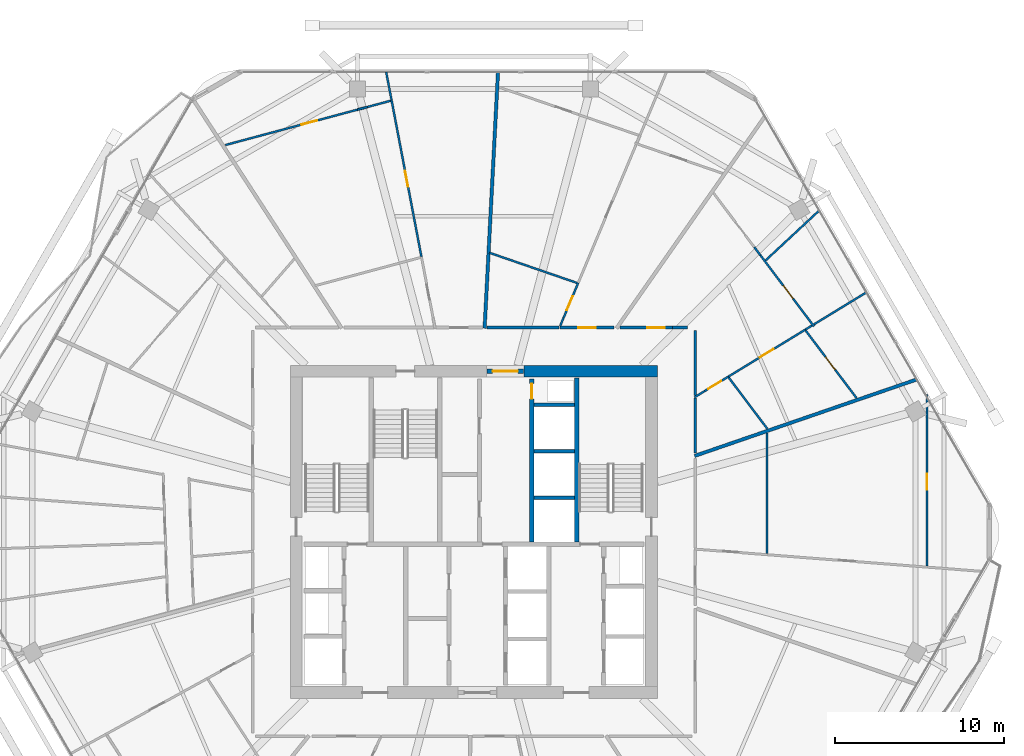
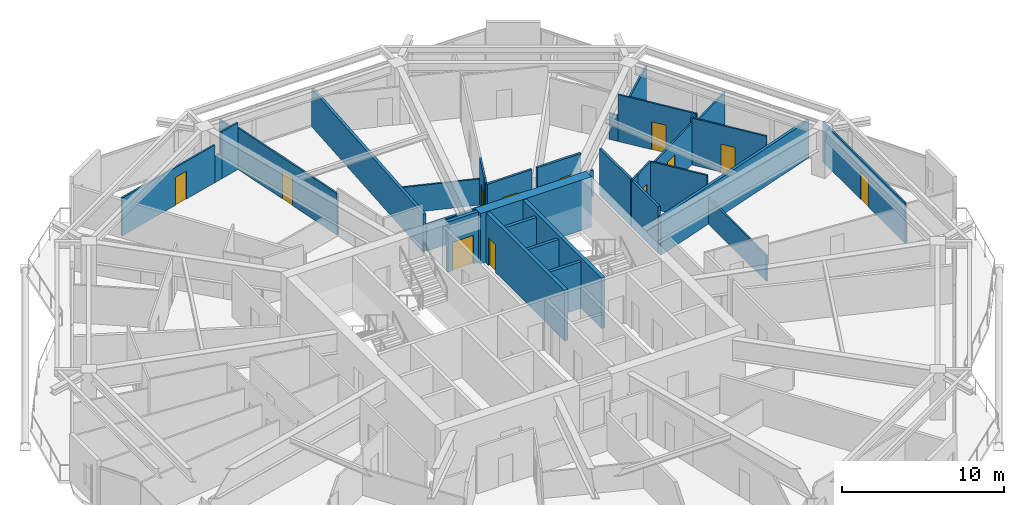
# One storey, part 24 of 28: 35 walls, 12 doors, 12 openings.
"""IFC4 building model written with IfcOpenShell, lengths in metres."""

from ifc_helpers import new_model, si_unit, direction, frame, frame_2d, origin, place, context, subcontext, project, spatial, rectangle, extrude, material, layer, layer_set, type_object, element, fill, save


model = new_model("IFC4")

# Units and contexts
model_context = context("Model", 3, precision=1e-05, world=origin(), true_north=direction((0.0, 1.0)))
body_context = subcontext(model_context, "Body", "Model", "MODEL_VIEW")
ifc_project = project(units=[si_unit("LENGTHUNIT", "METRE"), si_unit("AREAUNIT", "SQUARE_METRE"), si_unit("VOLUMEUNIT", "CUBIC_METRE"), si_unit("PLANEANGLEUNIT", "RADIAN"), si_unit("MASSUNIT", "GRAM", prefix="KILO")], contexts=[model_context])

# Site, building, storey
site_placement = place(None, origin())
site = spatial("IfcSite", under=ifc_project, at=site_placement, CompositionType="ELEMENT")
building_placement = place(site_placement, origin())
building = spatial("IfcBuilding", under=site, at=building_placement, Name="Zuhravey Tower", CompositionType="ELEMENT")
storey_placement = place(building_placement, frame((0.0, 0.0, 222.60009765625)))
storey = spatial("IfcBuildingStorey", under=building, at=storey_placement, Name="L56", CompositionType="ELEMENT", Elevation=222.60009765625)

# Wall
ifc_material_1 = material(Name="Concrete C60/75", Category="concrete")
ifc_layer_1 = layer(ifc_material_1, 0.699951171875)
ifc_layer_set_1 = layer_set([ifc_layer_1], Name="Concrete C60/75")
wall_type_1 = type_object("IfcWallType", Name="Core Shear Wall 700", PredefinedType="SHEAR", material=ifc_layer_set_1)
wall_1_placement = place(storey_placement, frame((46.85009765625, 41.5, 0.0), z_axis=(0.0, 0.0, 1.0), x_axis=(-1.0, 0.0, 0.0)))
element("IfcWall", 1, at=wall_1_placement, inside=storey, type_object=wall_type_1, Name="L56 North-East Core Shear Wall CW70", PredefinedType="SHEAR", context=body_context, shape_type="SweptSolid", body=[
    extrude(rectangle(XDim=7.900146484375, YDim=0.699951171875, at=frame_2d((3.9501953125, 0.0))), origin(), (0.0, 0.0, 1.0), 3.7998046875),
])

# Wall, opening, door
ifc_material_2 = material(Name="Gypsum fire-rated stud partition")
ifc_layer_2 = layer(ifc_material_2, 0.159912109375)
ifc_layer_set_2 = layer_set([ifc_layer_2], Name="Gypsum fire-rated stud partition")
wall_type_2 = type_object("IfcWallType", Name="Corridor Fire Partition 160", PredefinedType="PARTITIONING", material=ifc_layer_set_2)
wall_2_placement = place(storey_placement, frame((47.751708984375, 44.080078125, 0.0), z_axis=(0.0, 0.0, 1.0), x_axis=(-1.0, 0.0, 0.0)))
wall_2 = element("IfcWall", 2, at=wall_2_placement, inside=storey, type_object=wall_type_2, Name="L56 IW16 Partition 025", PredefinedType="PARTITIONING", context=body_context, shape_type="SweptSolid", body=[
    extrude(rectangle(XDim=3.110595703125, YDim=0.159912109375, at=frame_2d((1.55517578125, 0.0))), origin(), (0.0, 0.0, 1.0), 3.52001953125),
])
opening_1_placement = place(wall_2_placement, frame((0.4560546875, 0.0, 0.0)))
opening_1 = element("IfcOpeningElement", 3, at=opening_1_placement, cuts=wall_2, Name="Opening APD1", PredefinedType="OPENING", context=body_context, shape_type="SweptSolid", body=[
    extrude(rectangle(XDim=1.050048828125, YDim=2.14990234375, at=frame_2d((0.52490234375, 1.074951171875))), frame((0.0, 0.092041015625, 0.0), z_axis=(0.0, -1.0, 0.0), x_axis=(1.0, 0.0, 0.0)), (0.0, 0.0, 1.0), 0.183837890625),
])
ifc_material_3 = material(Name="Solid-core oak fire-rated leaf")
door_type_1 = type_object("IfcDoorType", Name="Apartment Entrance Fire Door 1050x2150", OperationType="NOTDEFINED", PredefinedType="DOOR", material=ifc_material_3)
door_1_placement = place(opening_1_placement, frame((1.050048828125, 0.0, 0.0), z_axis=(0.0, 0.0, 1.0), x_axis=(-1.0, 0.0, 0.0)))
door_1 = element("IfcDoor", 4, at=door_1_placement, inside=storey, type_object=door_type_1, Name="L56 Door 025.1", OperationType="SINGLE_SWING_RIGHT", OverallHeight=2.14990234375, OverallWidth=1.050048828125, PredefinedType="DOOR", context=body_context, shape_type="SweptSolid", body=[
    extrude(rectangle(XDim=1.050048828125, YDim=2.14990234375, at=frame_2d((0.52490234375, 1.074951171875))), frame((0.0, 0.02490234375, 0.0), z_axis=(0.0, -1.0, 0.0), x_axis=(1.0, 0.0, 0.0)), (0.0, 0.0, 1.0), 0.050048828125),
])
fill(opening_1, door_1)

wall_3_placement = place(storey_placement, frame((44.278076171875, 44.080078125, 0.0), z_axis=(0.0, 0.0, 1.0), x_axis=(-1.0, 0.0, 0.0)))
wall_3 = element("IfcWall", 5, at=wall_3_placement, inside=storey, type_object=wall_type_2, Name="L56 IW16 Partition 031", PredefinedType="PARTITIONING", context=body_context, shape_type="SweptSolid", body=[
    extrude(rectangle(XDim=3.1982421875, YDim=0.159912109375, at=frame_2d((1.59912109375, 0.0))), origin(), (0.0, 0.0, 1.0), 3.52001953125),
])
opening_2_placement = place(wall_3_placement, frame((1.07421875, 0.0, 0.0)))
opening_2 = element("IfcOpeningElement", 6, at=opening_2_placement, cuts=wall_3, Name="Opening APD1", PredefinedType="OPENING", context=body_context, shape_type="SweptSolid", body=[
    extrude(rectangle(XDim=1.050048828125, YDim=2.14990234375, at=frame_2d((0.52490234375, 1.074951171875))), frame((0.0, 0.092041015625, 0.0), z_axis=(0.0, -1.0, 0.0), x_axis=(1.0, 0.0, 0.0)), (0.0, 0.0, 1.0), 0.183837890625),
])
door_2_placement = place(opening_2_placement, frame((1.050048828125, 0.0, 0.0), z_axis=(0.0, 0.0, 1.0), x_axis=(-1.0, 0.0, 0.0)))
door_2 = element("IfcDoor", 7, at=door_2_placement, inside=storey, type_object=door_type_1, Name="L56 Door 031.1", OperationType="SINGLE_SWING_LEFT", OverallHeight=2.14990234375, OverallWidth=1.050048828125, PredefinedType="DOOR", context=body_context, shape_type="SweptSolid", body=[
    extrude(rectangle(XDim=1.050048828125, YDim=2.14990234375, at=frame_2d((0.52490234375, 1.074951171875))), frame((0.0, 0.02490234375, 0.0), z_axis=(0.0, -1.0, 0.0), x_axis=(1.0, 0.0, 0.0)), (0.0, 0.0, 1.0), 0.050048828125),
])
fill(opening_2, door_2)

# Walls
wall_4_placement = place(storey_placement, frame((48.635498046875, 44.080078125, 0.0), z_axis=(0.0, 0.0, 1.0), x_axis=(-1.0, 0.0, 0.0)))
element("IfcWall", 8, at=wall_4_placement, inside=storey, type_object=wall_type_2, Name="L56 IW16 Partition 076", PredefinedType="PARTITIONING", context=body_context, shape_type="SweptSolid", body=[
    extrude(rectangle(XDim=0.8837890625, YDim=0.159912109375, at=frame_2d((0.44189453125, 0.0))), origin(), (0.0, 0.0, 1.0), 1.969970703125),
])
wall_5_placement = place(storey_placement, frame((49.080078125, 40.063720703125, 0.0), z_axis=(0.0, 0.0, 1.0), x_axis=(0.0, 1.0, 0.0)))
element("IfcWall", 9, at=wall_5_placement, inside=storey, type_object=wall_type_2, Name="L56 IW16 Partition 133", PredefinedType="PARTITIONING", context=body_context, shape_type="SweptSolid", body=[
    extrude(rectangle(XDim=3.836181640625, YDim=0.159912109375, at=frame_2d((1.91796875, 0.0))), origin(), (0.0, 0.0, 1.0), 3.52001953125),
])
wall_6_placement = place(storey_placement, frame((49.080078125, 36.653076171875, 0.0), z_axis=(0.0, 0.0, 1.0), x_axis=(0.0, 1.0, 0.0)))
element("IfcWall", 10, at=wall_6_placement, inside=storey, type_object=wall_type_2, Name="L56 IW16 Partition 134", PredefinedType="PARTITIONING", context=body_context, shape_type="SweptSolid", body=[
    extrude(rectangle(XDim=3.251220703125, YDim=0.159912109375, at=frame_2d((1.62548828125, 0.0))), origin(), (0.0, 0.0, 1.0), 3.52001953125),
])
wall_7_placement = place(storey_placement, frame((41.036376953125, 44.080078125, 0.0), z_axis=(0.0, 0.0, 1.0), x_axis=(-1.0, 0.0, 0.0)))
element("IfcWall", 11, at=wall_7_placement, inside=storey, type_object=wall_type_2, Name="L56 IW16 Partition 135", PredefinedType="PARTITIONING", context=body_context, shape_type="SweptSolid", body=[
    extrude(rectangle(XDim=4.277587890625, YDim=0.159912109375, at=frame_2d((2.138671875, 0.0))), origin(), (0.0, 0.0, 1.0), 1.969970703125),
])

# Wall, opening, door
ifc_material_4 = material(Name="Concrete C50/60", Category="concrete")
ifc_layer_3 = layer(ifc_material_4, 0.25)
ifc_layer_set_3 = layer_set([ifc_layer_3], Name="Concrete C50/60")
wall_type_3 = type_object("IfcWallType", Name="Firefighting Shaft & Stair Wall 250", PredefinedType="SOLIDWALL", material=ifc_layer_set_3)
wall_8_placement = place(storey_placement, frame((36.760009765625, 41.5, 0.0), z_axis=(0.0, 0.0, 1.0), x_axis=(1.0, 0.0, 0.0)))
wall_8 = element("IfcWall", 12, at=wall_8_placement, inside=storey, type_object=wall_type_3, Name="L56 FW25 Shaft Wall 002", PredefinedType="SOLIDWALL", context=body_context, shape_type="SweptSolid", body=[
    extrude(rectangle(XDim=2.179931640625, YDim=0.25, at=frame_2d((1.08984375, 0.0))), origin(), (0.0, 0.0, 1.0), 3.7998046875),
])
opening_3_placement = place(wall_8_placement, frame((0.340087890625, 0.0, 0.0)))
opening_3 = element("IfcOpeningElement", 13, at=opening_3_placement, cuts=wall_8, Name="Opening FFD1", PredefinedType="OPENING", context=body_context, shape_type="SweptSolid", body=[
    extrude(rectangle(XDim=1.5, YDim=2.14990234375, at=frame_2d((0.75, 1.074951171875))), frame((0.0, 0.136962890625, 0.0), z_axis=(0.0, -1.0, 0.0), x_axis=(1.0, 0.0, 0.0)), (0.0, 0.0, 1.0), 0.27392578125),
])
ifc_material_5 = material(Name="Galvanised fire-rated steel leaf", Category="steel")
door_type_2 = type_object("IfcDoorType", Name="Firefighting Lobby Double Door 1500x2150", OperationType="DOUBLE_DOOR_SINGLE_SWING", PredefinedType="DOOR", material=ifc_material_5)
door_3_placement = place(opening_3_placement, origin())
door_3 = element("IfcDoor", 14, at=door_3_placement, inside=storey, type_object=door_type_2, Name="L56 North Lift Lobby Exit Door", OperationType="DOUBLE_DOOR_SINGLE_SWING", OverallHeight=2.14990234375, OverallWidth=1.5, PredefinedType="DOOR", context=body_context, shape_type="SweptSolid", body=[
    extrude(rectangle(XDim=1.5, YDim=2.14990234375, at=frame_2d((0.75, 1.074951171875))), frame((0.0, 0.02490234375, 0.0), z_axis=(0.0, -1.0, 0.0), x_axis=(1.0, 0.0, 0.0)), (0.0, 0.0, 1.0), 0.050048828125),
])
fill(opening_3, door_3)

# Wall
wall_9_placement = place(storey_placement, frame((42.074951171875, 31.39990234375, 0.0), z_axis=(0.0, 0.0, 1.0), x_axis=(0.0, 1.0, 0.0)))
element("IfcWall", 15, at=wall_9_placement, inside=storey, type_object=wall_type_3, Name="L56 FW25 Shaft Wall 006", PredefinedType="SOLIDWALL", context=body_context, shape_type="SweptSolid", body=[
    extrude(rectangle(XDim=9.7001953125, YDim=0.25, at=frame_2d((4.85009765625, 0.0))), origin(), (0.0, 0.0, 1.0), 3.7998046875),
])

# Wall, opening, door
wall_10_placement = place(storey_placement, frame((39.425048828125, 31.39990234375, 0.0), z_axis=(0.0, 0.0, 1.0), x_axis=(0.0, 1.0, 0.0)))
wall_10 = element("IfcWall", 16, at=wall_10_placement, inside=storey, type_object=wall_type_3, Name="L56 FW25 Shaft Wall 008", PredefinedType="SOLIDWALL", context=body_context, shape_type="SweptSolid", body=[
    extrude(rectangle(XDim=9.650146484375, YDim=0.25, at=frame_2d((4.8251953125, 0.0))), origin(), (0.0, 0.0, 1.0), 3.7998046875),
])
opening_4_placement = place(wall_10_placement, frame((8.469970703125, 0.0, 0.0)))
opening_4 = element("IfcOpeningElement", 17, at=opening_4_placement, cuts=wall_10, Name="Opening RSD1", PredefinedType="OPENING", context=body_context, shape_type="SweptSolid", body=[
    extrude(rectangle(XDim=0.89990234375, YDim=2.10009765625, at=frame_2d((0.449951171875, 1.050048828125))), frame((0.0, 0.136962890625, 0.0), z_axis=(0.0, -1.0, 0.0), x_axis=(1.0, 0.0, 0.0)), (0.0, 0.0, 1.0), 0.27392578125),
])
ifc_material_6 = material(Name="Galvanised fire-rated steel access leaf", Category="steel")
door_type_3 = type_object("IfcDoorType", Name="Riser & Shaft Access Fire Door 900x2100", OperationType="NOTDEFINED", PredefinedType="DOOR", material=ifc_material_6)
door_4_placement = place(opening_4_placement, origin())
door_4 = element("IfcDoor", 18, at=door_4_placement, inside=storey, type_object=door_type_3, Name="L56 North Riser Door", OperationType="SINGLE_SWING_LEFT", OverallHeight=2.10009765625, OverallWidth=0.89990234375, PredefinedType="DOOR", context=body_context, shape_type="SweptSolid", body=[
    extrude(rectangle(XDim=0.89990234375, YDim=2.10009765625, at=frame_2d((0.449951171875, 1.050048828125))), frame((0.0, 0.02490234375, 0.0), z_axis=(0.0, -1.0, 0.0), x_axis=(1.0, 0.0, 0.0)), (0.0, 0.0, 1.0), 0.050048828125),
])
fill(opening_4, door_4)

# Walls
ifc_material_7 = material(Name="Gypsum double-stud party assembly")
ifc_layer_4 = layer(ifc_material_7, 0.199951171875)
ifc_layer_set_4 = layer_set([ifc_layer_4], Name="Gypsum double-stud party assembly")
wall_type_4 = type_object("IfcWallType", Name="Inter-Tenancy Party Wall 200", PredefinedType="PARTITIONING", material=ifc_layer_set_4)
wall_11_placement = place(storey_placement, frame((49.0400390625, 36.489990234375, 0.0), z_axis=(0.0, 0.0, 1.0), x_axis=(0.94551604925, 0.325575491417, 0.0)))
element("IfcWall", 19, at=wall_11_placement, inside=storey, type_object=wall_type_4, Name="L56 IW20 Partition 069", PredefinedType="PARTITIONING", context=body_context, shape_type="SweptSolid", body=[
    extrude(rectangle(XDim=13.900390625, YDim=0.199951171875, at=frame_2d((6.9501953125, 0.0))), origin(), (0.0, 0.0, 1.0), 2.83984375),
])
wall_12_placement = place(storey_placement, frame((36.631103515625, 44.0400390625, 0.0), z_axis=(0.0, 0.0, 1.0), x_axis=(0.052325601384, 0.998630077376, 0.0)))
element("IfcWall", 20, at=wall_12_placement, inside=storey, type_object=wall_type_4, Name="L56 IW20 Partition 083", PredefinedType="PARTITIONING", context=body_context, shape_type="SweptSolid", body=[
    extrude(rectangle(XDim=15.163818359375, YDim=0.199951171875, at=frame_2d((7.58203125, 0.0))), origin(), (0.0, 0.0, 1.0), 2.83984375),
])
ifc_material_8 = material(Name="Gypsum acoustic stud assembly")
ifc_layer_5 = layer(ifc_material_8, 0.219970703125)
ifc_layer_set_5 = layer_set([ifc_layer_5], Name="Gypsum acoustic stud assembly")
wall_type_5 = type_object("IfcWallType", Name="School Acoustic Compartment Wall 220", PredefinedType="PARTITIONING", material=ifc_layer_set_5)
for number, where, z_axis, x_axis, name in (
    (21, (39.55810546875, 34.02490234375, 0.0), (0.0, 0.0, 1.0), (1.0, 0.0, 0.0), "L56 IW22 Partition 064"),
    (22, (39.55810546875, 36.77490234375, 0.0), (0.0, 0.0, 1.0), (1.0, 0.0, 0.0), "L56 IW22 Partition 065"),
    (23, (39.55810546875, 39.52490234375, 0.0), (0.0, 0.0, 1.0), (1.0, 0.0, 0.0), "L56 IW22 Partition 066"),
):
    element("IfcWall", number, at=place(storey_placement, frame(where, z_axis=z_axis, x_axis=x_axis)), inside=storey, type_object=wall_type_5, Name=name, PredefinedType="PARTITIONING", context=body_context, shape_type="SweptSolid", body=[
        extrude(rectangle(XDim=2.3837890625, YDim=0.219970703125, at=frame_2d((1.19189453125, 0.0))), origin(), (0.0, 0.0, 1.0), 3.52001953125),
    ])

# Wall, opening, door
ifc_material_9 = material(Name="Gypsum metal-stud partition")
ifc_layer_6 = layer(ifc_material_9, 0.1201171875)
ifc_layer_set_6 = layer_set([ifc_layer_6], Name="Gypsum metal-stud partition")
wall_type_6 = type_object("IfcWallType", Name="Unit Internal Partition 120", PredefinedType="PARTITIONING", material=ifc_layer_set_6)
wall_13_placement = place(storey_placement, frame((56.10205078125, 44.1533203125, 0.0), z_axis=(0.0, 0.0, 1.0), x_axis=(-0.601823664103, 0.79862899855, 0.0)))
wall_13 = element("IfcWall", 24, at=wall_13_placement, inside=storey, type_object=wall_type_6, Name="L56 IW12 Partition 020", PredefinedType="PARTITIONING", context=body_context, shape_type="SweptSolid", body=[
    extrude(rectangle(XDim=5.2646484375, YDim=0.1201171875, at=frame_2d((2.63232421875, 0.0))), origin(), (0.0, 0.0, 1.0), 3.52001953125),
])
opening_5_placement = place(wall_13_placement, frame((2.059326171875, 0.0, 0.0)))
opening_5 = element("IfcOpeningElement", 25, at=opening_5_placement, cuts=wall_13, Name="Opening IND1", PredefinedType="OPENING", context=body_context, shape_type="SweptSolid", body=[
    extrude(rectangle(XDim=0.949951171875, YDim=2.10009765625, at=frame_2d((0.47509765625, 1.050048828125))), frame((0.0, 0.072021484375, 0.0), z_axis=(0.0, -1.0, 0.0), x_axis=(1.0, 0.0, 0.0)), (0.0, 0.0, 1.0), 0.14404296875),
])
ifc_material_10 = material(Name="Painted engineered timber leaf", Category="wood")
door_type_4 = type_object("IfcDoorType", Name="Internal Room & Bedroom Door 950x2100", OperationType="NOTDEFINED", PredefinedType="DOOR", material=ifc_material_10)
door_5_placement = place(opening_5_placement, frame((0.949951171875, 0.0, 0.0), z_axis=(0.0, 0.0, 1.0), x_axis=(-1.0, 0.0, 0.0)))
door_5 = element("IfcDoor", 26, at=door_5_placement, inside=storey, type_object=door_type_4, Name="Apartment L56-01 Family Study Door", OperationType="SINGLE_SWING_LEFT", OverallHeight=2.10009765625, OverallWidth=0.949951171875, PredefinedType="DOOR", context=body_context, shape_type="SweptSolid", body=[
    extrude(rectangle(XDim=0.949951171875, YDim=2.10009765625, at=frame_2d((0.47509765625, 1.050048828125))), frame((0.0, 0.02490234375, 0.0), z_axis=(0.0, -1.0, 0.0), x_axis=(1.0, 0.0, 0.0)), (0.0, 0.0, 1.0), 0.050048828125),
])
fill(opening_5, door_5)

wall_14_placement = place(storey_placement, frame((49.64990234375, 40.33203125, 0.0), z_axis=(0.0, 0.0, 1.0), x_axis=(0.853576385117, 0.520967709911, 0.0)))
wall_14 = element("IfcWall", 27, at=wall_14_placement, inside=storey, type_object=wall_type_6, Name="L56 IW12 Partition 022", PredefinedType="PARTITIONING", context=body_context, shape_type="SweptSolid", body=[
    extrude(rectangle(XDim=1.638427734375, YDim=0.1201171875, at=frame_2d((0.8193359375, 0.0))), origin(), (0.0, 0.0, 1.0), 3.52001953125),
])
opening_6_placement = place(wall_14_placement, frame((0.238037109375, 0.0, 0.0)))
opening_6 = element("IfcOpeningElement", 28, at=opening_6_placement, cuts=wall_14, Name="Opening WCD1", PredefinedType="OPENING", context=body_context, shape_type="SweptSolid", body=[
    extrude(rectangle(XDim=0.89990234375, YDim=2.10009765625, at=frame_2d((0.449951171875, 1.050048828125))), frame((0.0, 0.072021484375, 0.0), z_axis=(0.0, -1.0, 0.0), x_axis=(1.0, 0.0, 0.0)), (0.0, 0.0, 1.0), 0.14404296875),
])
ifc_material_11 = material(Name="Moisture-resistant timber leaf", Category="wood")
door_type_5 = type_object("IfcDoorType", Name="Bathroom & WC Internal Door 900x2100", OperationType="NOTDEFINED", PredefinedType="DOOR", material=ifc_material_11)
door_6_placement = place(opening_6_placement, frame((0.89990234375, 0.0, 0.0), z_axis=(0.0, 0.0, 1.0), x_axis=(-1.0, 0.0, 0.0)))
door_6 = element("IfcDoor", 29, at=door_6_placement, inside=storey, type_object=door_type_5, Name="Apartment L56-01 Bathroom Door", OperationType="SINGLE_SWING_LEFT", OverallHeight=2.10009765625, OverallWidth=0.89990234375, PredefinedType="DOOR", context=body_context, shape_type="SweptSolid", body=[
    extrude(rectangle(XDim=0.89990234375, YDim=2.10009765625, at=frame_2d((0.449951171875, 1.050048828125))), frame((0.0, 0.02490234375, 0.0), z_axis=(0.0, -1.0, 0.0), x_axis=(1.0, 0.0, 0.0)), (0.0, 0.0, 1.0), 0.050048828125),
])
fill(opening_6, door_6)

wall_15_placement = place(storey_placement, frame((51.04833984375, 41.185546875, 0.0), z_axis=(0.0, 0.0, 1.0), x_axis=(0.853552291935, 0.521007183187, 0.0)))
wall_15 = element("IfcWall", 30, at=wall_15_placement, inside=storey, type_object=wall_type_6, Name="L56 IW12 Partition 023", PredefinedType="PARTITIONING", context=body_context, shape_type="SweptSolid", body=[
    extrude(rectangle(XDim=5.330810546875, YDim=0.1201171875, at=frame_2d((2.66552734375, 0.0))), origin(), (0.0, 0.0, 1.0), 3.119873046875),
])
opening_7_placement = place(wall_15_placement, frame((2.165283203125, 0.0, 0.0)))
opening_7 = element("IfcOpeningElement", 31, at=opening_7_placement, cuts=wall_15, Name="Opening IND1", PredefinedType="OPENING", context=body_context, shape_type="SweptSolid", body=[
    extrude(rectangle(XDim=0.949951171875, YDim=2.10009765625, at=frame_2d((0.47509765625, 1.050048828125))), frame((0.0, 0.072021484375, 0.0), z_axis=(0.0, -1.0, 0.0), x_axis=(1.0, 0.0, 0.0)), (0.0, 0.0, 1.0), 0.14404296875),
])
door_7_placement = place(opening_7_placement, frame((0.949951171875, 0.0, 0.0), z_axis=(0.0, 0.0, 1.0), x_axis=(-1.0, 0.0, 0.0)))
door_7 = element("IfcDoor", 32, at=door_7_placement, inside=storey, type_object=door_type_4, Name="Apartment L56-01 Home Office Door", OperationType="SINGLE_SWING_RIGHT", OverallHeight=2.10009765625, OverallWidth=0.949951171875, PredefinedType="DOOR", context=body_context, shape_type="SweptSolid", body=[
    extrude(rectangle(XDim=0.949951171875, YDim=2.10009765625, at=frame_2d((0.47509765625, 1.050048828125))), frame((0.0, 0.02490234375, 0.0), z_axis=(0.0, -1.0, 0.0), x_axis=(1.0, 0.0, 0.0)), (0.0, 0.0, 1.0), 0.050048828125),
])
fill(opening_7, door_7)

wall_16_placement = place(storey_placement, frame((58.62451171875, 39.90576171875, 0.0), z_axis=(0.0, 0.0, 1.0), x_axis=(-0.60182042423, 0.798631440015, 0.0)))
wall_16 = element("IfcWall", 33, at=wall_16_placement, inside=storey, type_object=wall_type_6, Name="L56 IW12 Partition 024", PredefinedType="PARTITIONING", context=body_context, shape_type="SweptSolid", body=[
    extrude(rectangle(XDim=4.995361328125, YDim=0.1201171875, at=frame_2d((2.49755859375, 0.0))), origin(), (0.0, 0.0, 1.0), 3.52001953125),
])
opening_8_placement = place(wall_16_placement, frame((2.107177734375, 0.0, 0.0)))
opening_8 = element("IfcOpeningElement", 34, at=opening_8_placement, cuts=wall_16, Name="Opening IND1", PredefinedType="OPENING", context=body_context, shape_type="SweptSolid", body=[
    extrude(rectangle(XDim=0.949951171875, YDim=2.10009765625, at=frame_2d((0.47509765625, 1.050048828125))), frame((0.0, 0.072021484375, 0.0), z_axis=(0.0, -1.0, 0.0), x_axis=(1.0, 0.0, 0.0)), (0.0, 0.0, 1.0), 0.14404296875),
])
door_8_placement = place(opening_8_placement, frame((0.949951171875, 0.0, 0.0), z_axis=(0.0, 0.0, 1.0), x_axis=(-1.0, 0.0, 0.0)))
door_8 = element("IfcDoor", 35, at=door_8_placement, inside=storey, type_object=door_type_4, Name="Apartment L56-01 Bedroom 1 Door", OperationType="SINGLE_SWING_LEFT", OverallHeight=2.10009765625, OverallWidth=0.949951171875, PredefinedType="DOOR", context=body_context, shape_type="SweptSolid", body=[
    extrude(rectangle(XDim=0.949951171875, YDim=2.10009765625, at=frame_2d((0.47509765625, 1.050048828125))), frame((0.0, 0.02490234375, 0.0), z_axis=(0.0, -1.0, 0.0), x_axis=(1.0, 0.0, 0.0)), (0.0, 0.0, 1.0), 0.050048828125),
])
fill(opening_8, door_8)

wall_17_placement = place(storey_placement, frame((41.296875, 44.64990234375, 0.0), z_axis=(0.0, 0.0, 1.0), x_axis=(0.386243492927, 0.922396858284, 0.0)))
wall_17 = element("IfcWall", 36, at=wall_17_placement, inside=storey, type_object=wall_type_6, Name="L56 IW12 Partition 027", PredefinedType="PARTITIONING", context=body_context, shape_type="SweptSolid", body=[
    extrude(rectangle(XDim=2.245849609375, YDim=0.1201171875, at=frame_2d((1.123046875, 0.0))), origin(), (0.0, 0.0, 1.0), 3.52001953125),
])
opening_9_placement = place(wall_17_placement, frame((0.4931640625, 0.0, 0.0)))
opening_9 = element("IfcOpeningElement", 37, at=opening_9_placement, cuts=wall_17, Name="Opening WCD1", PredefinedType="OPENING", context=body_context, shape_type="SweptSolid", body=[
    extrude(rectangle(XDim=0.89990234375, YDim=2.10009765625, at=frame_2d((0.449951171875, 1.050048828125))), frame((0.0, 0.072021484375, 0.0), z_axis=(0.0, -1.0, 0.0), x_axis=(1.0, 0.0, 0.0)), (0.0, 0.0, 1.0), 0.14404296875),
])
door_9_placement = place(opening_9_placement, origin())
door_9 = element("IfcDoor", 38, at=door_9_placement, inside=storey, type_object=door_type_5, Name="Apartment L56-02 Bathroom Door", OperationType="SINGLE_SWING_RIGHT", OverallHeight=2.10009765625, OverallWidth=0.89990234375, PredefinedType="DOOR", context=body_context, shape_type="SweptSolid", body=[
    extrude(rectangle(XDim=0.89990234375, YDim=2.10009765625, at=frame_2d((0.449951171875, 1.050048828125))), frame((0.0, 0.02490234375, 0.0), z_axis=(0.0, -1.0, 0.0), x_axis=(1.0, 0.0, 0.0)), (0.0, 0.0, 1.0), 0.050048828125),
])
fill(opening_9, door_9)

wall_18_placement = place(storey_placement, frame((32.8974609375, 48.26416015625, 0.0), z_axis=(0.0, 0.0, 1.0), x_axis=(-0.187382109983, 0.982287098998, 0.0)))
wall_18 = element("IfcWall", 39, at=wall_18_placement, inside=storey, type_object=wall_type_6, Name="L56 IW12 Partition 033", PredefinedType="PARTITIONING", context=body_context, shape_type="SweptSolid", body=[
    extrude(rectangle(XDim=9.431640625, YDim=0.1201171875, at=frame_2d((4.7158203125, 0.0))), origin(), (0.0, 0.0, 1.0), 3.119873046875),
])
opening_10_placement = place(wall_18_placement, frame((4.2158203125, 0.0, 0.0)))
opening_10 = element("IfcOpeningElement", 40, at=opening_10_placement, cuts=wall_18, Name="Opening IND1", PredefinedType="OPENING", context=body_context, shape_type="SweptSolid", body=[
    extrude(rectangle(XDim=0.949951171875, YDim=2.10009765625, at=frame_2d((0.47509765625, 1.050048828125))), frame((0.0, 0.072021484375, 0.0), z_axis=(0.0, -1.0, 0.0), x_axis=(1.0, 0.0, 0.0)), (0.0, 0.0, 1.0), 0.14404296875),
])
door_10_placement = place(opening_10_placement, origin())
door_10 = element("IfcDoor", 41, at=door_10_placement, inside=storey, type_object=door_type_4, Name="Apartment L56-03 Home Office Door", OperationType="SINGLE_SWING_LEFT", OverallHeight=2.10009765625, OverallWidth=0.949951171875, PredefinedType="DOOR", context=body_context, shape_type="SweptSolid", body=[
    extrude(rectangle(XDim=0.949951171875, YDim=2.10009765625, at=frame_2d((0.47509765625, 1.050048828125))), frame((0.0, 0.02490234375, 0.0), z_axis=(0.0, -1.0, 0.0), x_axis=(1.0, 0.0, 0.0)), (0.0, 0.0, 1.0), 0.050048828125),
])
fill(opening_10, door_10)

wall_19_placement = place(storey_placement, frame((29.128173828125, 56.966796875, 0.0), z_axis=(0.0, 0.0, 1.0), x_axis=(-0.965920313851, -0.258839616925, 0.0)))
wall_19 = element("IfcWall", 42, at=wall_19_placement, inside=storey, type_object=wall_type_6, Name="L56 IW12 Partition 034", PredefinedType="PARTITIONING", context=body_context, shape_type="SweptSolid", body=[
    extrude(rectangle(XDim=8.09375, YDim=0.1201171875, at=frame_2d((4.046875, 0.0))), origin(), (0.0, 0.0, 1.0), 2.83984375),
])
opening_11_placement = place(wall_19_placement, frame((2.48291015625, 0.0, 0.0)))
opening_11 = element("IfcOpeningElement", 43, at=opening_11_placement, cuts=wall_19, Name="Opening IND1", PredefinedType="OPENING", context=body_context, shape_type="SweptSolid", body=[
    extrude(rectangle(XDim=0.949951171875, YDim=2.10009765625, at=frame_2d((0.47509765625, 1.050048828125))), frame((0.0, 0.072021484375, 0.0), z_axis=(0.0, -1.0, 0.0), x_axis=(1.0, 0.0, 0.0)), (0.0, 0.0, 1.0), 0.14404296875),
])
door_11_placement = place(opening_11_placement, frame((0.949951171875, 0.0, 0.0), z_axis=(0.0, 0.0, 1.0), x_axis=(-1.0, 0.0, 0.0)))
door_11 = element("IfcDoor", 44, at=door_11_placement, inside=storey, type_object=door_type_4, Name="Apartment L56-03 Bedroom 1 Door", OperationType="SINGLE_SWING_RIGHT", OverallHeight=2.10009765625, OverallWidth=0.949951171875, PredefinedType="DOOR", context=body_context, shape_type="SweptSolid", body=[
    extrude(rectangle(XDim=0.949951171875, YDim=2.10009765625, at=frame_2d((0.47509765625, 1.050048828125))), frame((0.0, 0.02490234375, 0.0), z_axis=(0.0, -1.0, 0.0), x_axis=(1.0, 0.0, 0.0)), (0.0, 0.0, 1.0), 0.050048828125),
])
fill(opening_11, door_11)

wall_20_placement = place(storey_placement, frame((62.784423828125, 29.98828125, 0.0), z_axis=(0.0, 0.0, 1.0), x_axis=(0.0, 1.0, 0.0)))
wall_20 = element("IfcWall", 45, at=wall_20_placement, inside=storey, type_object=wall_type_6, Name="L56 IW12 Partition 061", PredefinedType="PARTITIONING", context=body_context, shape_type="SweptSolid", body=[
    extrude(rectangle(XDim=10.145751953125, YDim=0.1201171875, at=frame_2d((5.07275390625, 0.0))), origin(), (0.0, 0.0, 1.0), 3.02001953125),
])
opening_12_placement = place(wall_20_placement, frame((4.513671875, 0.0, 0.0)))
opening_12 = element("IfcOpeningElement", 46, at=opening_12_placement, cuts=wall_20, Name="Opening IND1", PredefinedType="OPENING", context=body_context, shape_type="SweptSolid", body=[
    extrude(rectangle(XDim=0.949951171875, YDim=2.10009765625, at=frame_2d((0.47509765625, 1.050048828125))), frame((0.0, 0.072021484375, 0.0), z_axis=(0.0, -1.0, 0.0), x_axis=(1.0, 0.0, 0.0)), (0.0, 0.0, 1.0), 0.14404296875),
])
door_12_placement = place(opening_12_placement, frame((0.949951171875, 0.0, 0.0), z_axis=(0.0, 0.0, 1.0), x_axis=(-1.0, 0.0, 0.0)))
door_12 = element("IfcDoor", 47, at=door_12_placement, inside=storey, type_object=door_type_4, Name="Apartment L56-10 Bedroom 1 Door", OperationType="SINGLE_SWING_LEFT", OverallHeight=2.10009765625, OverallWidth=0.949951171875, PredefinedType="DOOR", context=body_context, shape_type="SweptSolid", body=[
    extrude(rectangle(XDim=0.949951171875, YDim=2.10009765625, at=frame_2d((0.47509765625, 1.050048828125))), frame((0.0, 0.02490234375, 0.0), z_axis=(0.0, -1.0, 0.0), x_axis=(1.0, 0.0, 0.0)), (0.0, 0.0, 1.0), 0.050048828125),
])
fill(opening_12, door_12)

# Walls
wall_21_placement = place(storey_placement, frame((53.2470703125, 48.054931640625, 0.0), z_axis=(0.0, 0.0, 1.0), x_axis=(0.731935379079, 0.681374053551, 0.0)))
element("IfcWall", 48, at=wall_21_placement, inside=storey, type_object=wall_type_6, Name="L56 IW12 Partition 070", PredefinedType="PARTITIONING", context=body_context, shape_type="SweptSolid", body=[
    extrude(rectangle(XDim=4.3603515625, YDim=0.1201171875, at=frame_2d((2.18017578125, 0.0))), origin(), (0.0, 0.0, 1.0), 2.83984375),
])
wall_22_placement = place(storey_placement, frame((52.93359375, 48.35791015625, 0.0), z_axis=(0.0, 0.0, 1.0), x_axis=(-0.601887879657, 0.798580603523, 0.0)))
element("IfcWall", 49, at=wall_22_placement, inside=storey, type_object=wall_type_6, Name="L56 IW12 Partition 071", PredefinedType="PARTITIONING", context=body_context, shape_type="SweptSolid", body=[
    extrude(rectangle(XDim=0.599609375, YDim=0.1201171875, at=frame_2d((0.2998046875, 0.0))), origin(), (0.0, 0.0, 1.0), 1.969970703125),
])
wall_23_placement = place(storey_placement, frame((49.034912109375, 39.95654296875, 0.0), z_axis=(0.0, 0.0, 1.0), x_axis=(0.853491148884, 0.521107339017, 0.0)))
element("IfcWall", 50, at=wall_23_placement, inside=storey, type_object=wall_type_6, Name="L56 IW12 Partition 072", PredefinedType="PARTITIONING", context=body_context, shape_type="SweptSolid", body=[
    extrude(rectangle(XDim=0.720458984375, YDim=0.1201171875, at=frame_2d((0.3603515625, 0.0))), origin(), (0.0, 0.0, 1.0), 3.52001953125),
])
wall_24_placement = place(storey_placement, frame((55.598388671875, 43.962890625, 0.0), z_axis=(0.0, 0.0, 1.0), x_axis=(0.8534556965, 0.521165399956, 0.0)))
element("IfcWall", 51, at=wall_24_placement, inside=storey, type_object=wall_type_6, Name="L56 IW12 Partition 073", PredefinedType="PARTITIONING", context=body_context, shape_type="SweptSolid", body=[
    extrude(rectangle(XDim=0.451171875, YDim=0.1201171875, at=frame_2d((0.2255859375, 0.0))), origin(), (0.0, 0.0, 1.0), 3.52001953125),
])
wall_25_placement = place(storey_placement, frame((56.099853515625, 44.26904296875, 0.0), z_axis=(0.0, 0.0, 1.0), x_axis=(0.853564621018, 0.520986984239, 0.0)))
element("IfcWall", 52, at=wall_25_placement, inside=storey, type_object=wall_type_6, Name="L56 IW12 Partition 074", PredefinedType="PARTITIONING", context=body_context, shape_type="SweptSolid", body=[
    extrude(rectangle(XDim=3.647705078125, YDim=0.1201171875, at=frame_2d((1.82373046875, 0.0))), origin(), (0.0, 0.0, 1.0), 2.83984375),
])
wall_26_placement = place(storey_placement, frame((53.350830078125, 38.088623046875, 0.0), z_axis=(0.0, 0.0, 1.0), x_axis=(-0.601810973107, 0.798638561959, 0.0)))
element("IfcWall", 53, at=wall_26_placement, inside=storey, type_object=wall_type_6, Name="L56 IW12 Partition 075", PredefinedType="PARTITIONING", context=body_context, shape_type="SweptSolid", body=[
    extrude(rectangle(XDim=3.79296875, YDim=0.1201171875, at=frame_2d((1.896484375, 0.0))), origin(), (0.0, 0.0, 1.0), 3.52001953125),
])
wall_27_placement = place(storey_placement, frame((41.094970703125, 44.16796875, 0.0), z_axis=(0.0, 0.0, 1.0), x_axis=(0.38640620175, 0.922328708893, 0.0)))
element("IfcWall", 54, at=wall_27_placement, inside=storey, type_object=wall_type_6, Name="L56 IW12 Partition 078", PredefinedType="PARTITIONING", context=body_context, shape_type="SweptSolid", body=[
    extrude(rectangle(XDim=0.5224609375, YDim=0.1201171875, at=frame_2d((0.26123046875, 0.0))), origin(), (0.0, 0.0, 1.0), 3.52001953125),
])
wall_28_placement = place(storey_placement, frame((42.090087890625, 46.720703125, 0.0), z_axis=(0.0, 0.0, 1.0), x_axis=(-0.945518250286, 0.325569099234, 0.0)))
element("IfcWall", 55, at=wall_28_placement, inside=storey, type_object=wall_type_6, Name="L56 IW12 Partition 080", PredefinedType="PARTITIONING", context=body_context, shape_type="SweptSolid", body=[
    extrude(rectangle(XDim=5.4794921875, YDim=0.1201171875, at=frame_2d((2.73974609375, 0.0))), origin(), (0.0, 0.0, 1.0), 1.969970703125),
])
wall_29_placement = place(storey_placement, frame((31.130126953125, 57.52880859375, 0.0), z_axis=(0.0, 0.0, 1.0), x_axis=(-0.187324644642, 0.982298059404, 0.0)))
element("IfcWall", 56, at=wall_29_placement, inside=storey, type_object=wall_type_6, Name="L56 IW12 Partition 085", PredefinedType="PARTITIONING", context=body_context, shape_type="SweptSolid", body=[
    extrude(rectangle(XDim=1.68896484375, YDim=0.1201171875, at=frame_2d((0.844482421875, 0.0))), origin(), (0.0, 0.0, 1.0), 2.83984375),
])
wall_30_placement = place(storey_placement, frame((29.701904296875, 57.120361328125, 0.0), z_axis=(0.0, 0.0, 1.0), x_axis=(-0.965995733448, -0.258558006953, 0.0)))
element("IfcWall", 57, at=wall_30_placement, inside=storey, type_object=wall_type_6, Name="L56 IW12 Partition 087", PredefinedType="PARTITIONING", context=body_context, shape_type="SweptSolid", body=[
    extrude(rectangle(XDim=0.593994140625, YDim=0.1201171875, at=frame_2d((0.296875, 0.0))), origin(), (0.0, 0.0, 1.0), 1.969970703125),
])
wall_31_placement = place(storey_placement, frame((31.06884765625, 57.48681640625, 0.0), z_axis=(0.0, 0.0, 1.0), x_axis=(-0.965893366146, -0.258940157633, 0.0)))
element("IfcWall", 58, at=wall_31_placement, inside=storey, type_object=wall_type_6, Name="L56 IW12 Partition 088", PredefinedType="PARTITIONING", context=body_context, shape_type="SweptSolid", body=[
    extrude(rectangle(XDim=1.415283203125, YDim=0.1201171875, at=frame_2d((0.70751953125, 0.0))), origin(), (0.0, 0.0, 1.0), 3.52001953125),
])
wall_32_placement = place(storey_placement, frame((53.32666015625, 30.722900390625, 0.0), z_axis=(0.0, 0.0, 1.0), x_axis=(0.0, 1.0, 0.0)))
element("IfcWall", 59, at=wall_32_placement, inside=storey, type_object=wall_type_6, Name="L56 IW12 Partition 130", PredefinedType="PARTITIONING", context=body_context, shape_type="SweptSolid", body=[
    extrude(rectangle(XDim=7.12890625, YDim=0.1201171875, at=frame_2d((3.564453125, 0.0))), origin(), (0.0, 0.0, 1.0), 1.969970703125),
])

save(model, "model.ifc")
